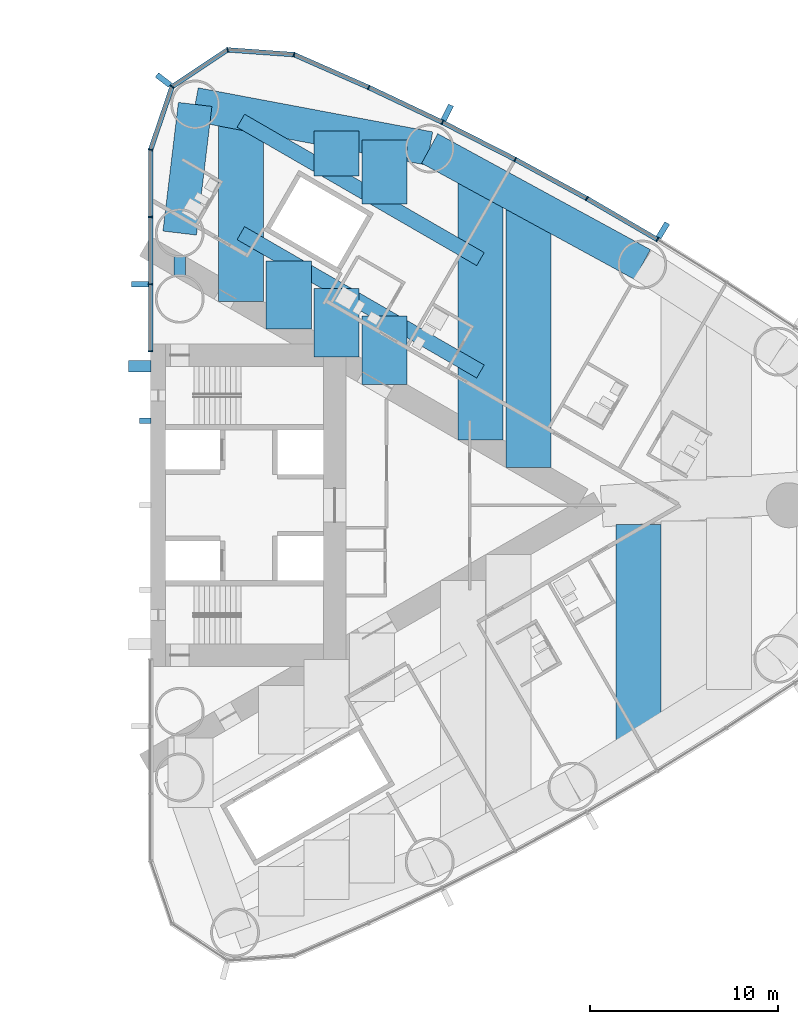
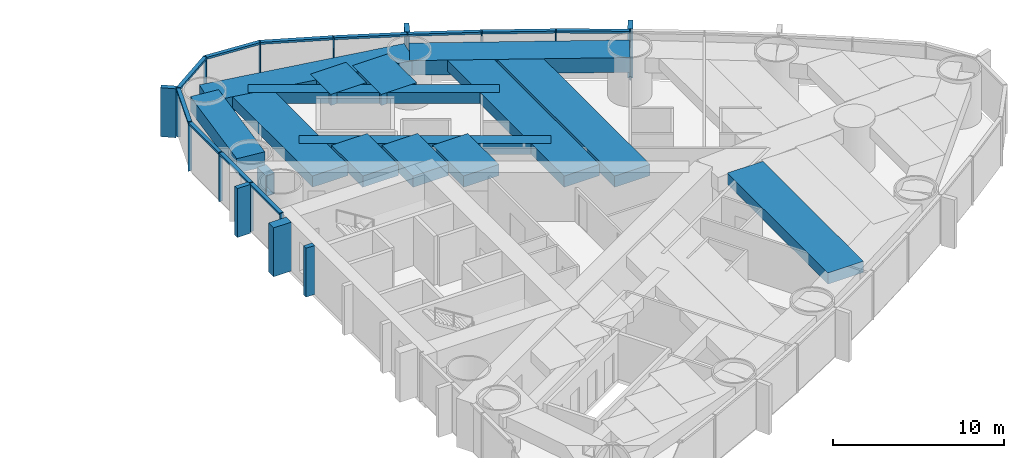
# One storey, part 7 of 18: 29 members, 15 beams, 1 element without a shape of its own.
"""IFC4 building model written with IfcOpenShell, lengths in metres."""

from ifc_helpers import new_model, si_unit, direction, frame, origin, origin_2d, place, context, subcontext, project, spatial, rectangle, hollow_rectangle, extrude, material, material_profile, profile_set, type_object, element, aggregate, save


model = new_model("IFC4")

# Units and contexts
model_context = context("Model", 3, precision=1e-05, world=origin(), true_north=direction((0.0, 1.0)))
body_context = subcontext(model_context, "Body", "Model", "MODEL_VIEW")
ifc_project = project(units=[si_unit("LENGTHUNIT", "METRE"), si_unit("AREAUNIT", "SQUARE_METRE"), si_unit("VOLUMEUNIT", "CUBIC_METRE"), si_unit("PLANEANGLEUNIT", "RADIAN"), si_unit("MASSUNIT", "GRAM", prefix="KILO")], contexts=[model_context])

# Site, building, storey
site_placement = place(None, origin())
site = spatial("IfcSite", under=ifc_project, at=site_placement, CompositionType="ELEMENT")
building_placement = place(site_placement, origin())
building = spatial("IfcBuilding", under=site, at=building_placement, Name="Lancet Gate Hotel", CompositionType="ELEMENT")
storey_placement = place(building_placement, frame((0.0, 0.0, 125.60009765625)))
storey = spatial("IfcBuildingStorey", under=building, at=storey_placement, Name="L33", CompositionType="ELEMENT", Elevation=125.60009765625)

# Curtain wall, members
ifc_material_1 = material(Name="Aluminium curtain wall", Category="aluminium")
curtain_wall_type = type_object("IfcCurtainWallType", Name="Tower unitised curtain wall", PredefinedType="USERDEFINED", material=ifc_material_1)
curtain_wall_placement = place(storey_placement, origin())
curtain_wall = element("IfcCurtainWall", 1, at=curtain_wall_placement, inside=storey, type_object=curtain_wall_type, Name="T2 L33 curtain wall 1", ObjectType="UNITISED CURTAIN WALL", PredefinedType="USERDEFINED")
ifc_material_2 = material(Name="Aluminium mullion", Category="aluminium")
ifc_material_profile_1 = material_profile(ifc_material_2, rectangle(XDim=0.06494140625, YDim=0.25, at=origin_2d()), Name="MULLION 65x250")
ifc_profile_set_1 = profile_set([ifc_material_profile_1], Name="Aluminium mullion")
member_type_1 = type_object("IfcMemberType", Name="Aluminium mullion 65x250", PredefinedType="MULLION", material=ifc_profile_set_1)
member_1_placement = place(storey_placement, frame((54.496337890625, 14.1552734375, 0.0), z_axis=(0.0, 0.0, 1.0), x_axis=(-0.856728030701, 0.515768437781, 0.0)))
member_1 = element("IfcMember", 2, at=member_1_placement, type_object=member_type_1, Name="T2 L33 curtain wall 1 mullion 23", PredefinedType="MULLION", context=body_context, shape_type="SweptSolid", body=[
    extrude(rectangle(XDim=0.06494140625, YDim=0.25, at=origin_2d()), origin(), (0.0, 0.0, 1.0), 3.5),
])
member_2_placement = place(storey_placement, frame((50.740478515625, 16.344482421875, 0.0), z_axis=(0.0, 0.0, 1.0), x_axis=(-0.871028838445, 0.491231882716, 0.0)))
member_2 = element("IfcMember", 3, at=member_2_placement, type_object=member_type_1, Name="T2 L33 curtain wall 1 mullion 24", PredefinedType="MULLION", context=body_context, shape_type="SweptSolid", body=[
    extrude(rectangle(XDim=0.06494140625, YDim=0.25, at=origin_2d()), origin(), (0.0, 0.0, 1.0), 3.5),
])
member_3_placement = place(storey_placement, frame((46.923828125, 18.426025390625, 0.0), z_axis=(0.0, 0.0, 1.0), x_axis=(-0.884627112962, 0.466299121822, 0.0)))
member_3 = element("IfcMember", 4, at=member_3_placement, type_object=member_type_1, Name="T2 L33 curtain wall 1 mullion 25", PredefinedType="MULLION", context=body_context, shape_type="SweptSolid", body=[
    extrude(rectangle(XDim=0.06494140625, YDim=0.25, at=origin_2d()), origin(), (0.0, 0.0, 1.0), 3.5),
])
member_4_placement = place(storey_placement, frame((43.0498046875, 20.398193359375, 0.0), z_axis=(0.0, 0.0, 1.0), x_axis=(-0.897511886496, 0.440990264743, 0.0)))
member_4 = element("IfcMember", 5, at=member_4_placement, type_object=member_type_1, Name="T2 L33 curtain wall 1 mullion 26", PredefinedType="MULLION", context=body_context, shape_type="SweptSolid", body=[
    extrude(rectangle(XDim=0.06494140625, YDim=0.25, at=origin_2d()), origin(), (0.0, 0.0, 1.0), 3.5),
])
member_5_placement = place(storey_placement, frame((39.12109375, 22.259765625, 0.0), z_axis=(0.0, 0.0, 1.0), x_axis=(-0.909672766767, 0.415325724465, 0.0)))
member_5 = element("IfcMember", 6, at=member_5_placement, type_object=member_type_1, Name="T2 L33 curtain wall 1 mullion 27", PredefinedType="MULLION", context=body_context, shape_type="SweptSolid", body=[
    extrude(rectangle(XDim=0.06494140625, YDim=0.25, at=origin_2d()), origin(), (0.0, 0.0, 1.0), 3.5),
])
member_6_placement = place(storey_placement, frame((35.141357421875, 24.009033203125, 0.0), z_axis=(0.0, 0.0, 1.0), x_axis=(-0.966317378791, 0.257353304711, 0.0)))
member_6 = element("IfcMember", 7, at=member_6_placement, type_object=member_type_1, Name="T2 L33 curtain wall 1 mullion 28", PredefinedType="MULLION", context=body_context, shape_type="SweptSolid", body=[
    extrude(rectangle(XDim=0.06494140625, YDim=0.25, at=origin_2d()), origin(), (0.0, 0.0, 1.0), 3.5),
])
member_7_placement = place(storey_placement, frame((31.60205078125, 24.26220703125, 0.0), z_axis=(0.0, 0.0, 1.0), x_axis=(-0.967157174963, -0.254179068604, 0.0)))
member_7 = element("IfcMember", 8, at=member_7_placement, type_object=member_type_1, Name="T2 L33 curtain wall 1 mullion 29", PredefinedType="MULLION", context=body_context, shape_type="SweptSolid", body=[
    extrude(rectangle(XDim=0.06494140625, YDim=0.25, at=origin_2d()), origin(), (0.0, 0.0, 1.0), 3.5),
])
member_8_placement = place(storey_placement, frame((28.64453125, 22.301513671875, 0.0), z_axis=(0.0, 0.0, 1.0), x_axis=(-0.610663954798, -0.79188984986, 0.0)))
member_8 = element("IfcMember", 9, at=member_8_placement, type_object=member_type_1, Name="T2 L33 curtain wall 1 mullion 30", PredefinedType="MULLION", context=body_context, shape_type="SweptSolid", body=[
    extrude(rectangle(XDim=0.06494140625, YDim=0.25, at=origin_2d()), origin(), (0.0, 0.0, 1.0), 3.5),
])
member_9_placement = place(storey_placement, frame((27.5, 18.94287109375, 0.0), z_axis=(0.0, 0.0, 1.0), x_axis=(-0.162738742557, -0.986669195663, 0.0)))
member_9 = element("IfcMember", 10, at=member_9_placement, type_object=member_type_1, Name="T2 L33 curtain wall 1 mullion 31", PredefinedType="MULLION", context=body_context, shape_type="SweptSolid", body=[
    extrude(rectangle(XDim=0.06494140625, YDim=0.25, at=origin_2d()), origin(), (0.0, 0.0, 1.0), 3.5),
])
member_10_placement = place(storey_placement, frame((27.5, 15.362060546875, 0.0), z_axis=(0.0, 0.0, 1.0), x_axis=(0.0, -1.0, 0.0)))
member_10 = element("IfcMember", 11, at=member_10_placement, type_object=member_type_1, Name="T2 L33 curtain wall 1 mullion 32", PredefinedType="MULLION", context=body_context, shape_type="SweptSolid", body=[
    extrude(rectangle(XDim=0.06494140625, YDim=0.25, at=origin_2d()), origin(), (0.0, 0.0, 1.0), 3.5),
])
member_11_placement = place(storey_placement, frame((27.5, 11.781005859375, 0.0), z_axis=(0.0, 0.0, 1.0), x_axis=(0.0, -1.0, 0.0)))
member_11 = element("IfcMember", 12, at=member_11_placement, type_object=member_type_1, Name="T2 L33 curtain wall 1 mullion 33", PredefinedType="MULLION", context=body_context, shape_type="SweptSolid", body=[
    extrude(rectangle(XDim=0.06494140625, YDim=0.25, at=origin_2d()), origin(), (0.0, 0.0, 1.0), 3.5),
])
member_12_placement = place(storey_placement, frame((27.5, 8.199951171875, 0.0), z_axis=(0.0, 0.0, 1.0), x_axis=(0.0, -1.0, 0.0)))
member_12 = element("IfcMember", 13, at=member_12_placement, type_object=member_type_1, Name="T2 L33 curtain wall 1 mullion 34", PredefinedType="MULLION", context=body_context, shape_type="SweptSolid", body=[
    extrude(rectangle(XDim=0.06494140625, YDim=0.25, at=origin_2d()), origin(), (0.0, 0.0, 1.0), 3.5),
])
ifc_material_3 = material(Name="Aluminium transom", Category="aluminium")
ifc_material_profile_2 = material_profile(ifc_material_3, rectangle(XDim=0.25, YDim=0.14990234375, at=origin_2d()), Name="TRANSOM 250x150")
ifc_profile_set_2 = profile_set([ifc_material_profile_2], Name="Aluminium transom")
member_type_2 = type_object("IfcMemberType", Name="Aluminium transom 250x150", PredefinedType="USERDEFINED", material=ifc_profile_set_2)
member_13_placement = place(storey_placement, frame((54.46826171875, 14.171630859375, 3.4248046875), z_axis=(-0.863973212152, 0.503537772847, 0.0), x_axis=(-0.503537772847, -0.863973212152, 0.0)))
member_13 = element("IfcMember", 14, at=member_13_placement, type_object=member_type_2, Name="T2 L33 curtain wall 1 transom 23", ObjectType="TRANSOM", PredefinedType="USERDEFINED", context=body_context, shape_type="SweptSolid", body=[
    extrude(rectangle(XDim=0.25, YDim=0.14990234375, at=origin_2d()), origin(), (0.0, 0.0, 1.0), 4.2822265625),
])
member_14_placement = place(storey_placement, frame((50.7119140625, 16.35986328125, 3.4248046875), z_axis=(-0.877906466435, 0.478832158685, 0.0), x_axis=(-0.478832158685, -0.877906466435, 0.0)))
member_14 = element("IfcMember", 15, at=member_14_placement, type_object=member_type_2, Name="T2 L33 curtain wall 1 transom 24", ObjectType="TRANSOM", PredefinedType="USERDEFINED", context=body_context, shape_type="SweptSolid", body=[
    extrude(rectangle(XDim=0.25, YDim=0.14990234375, at=origin_2d()), origin(), (0.0, 0.0, 1.0), 4.282470703125),
])
member_15_placement = place(storey_placement, frame((46.89501953125, 18.440673828125, 3.4248046875), z_axis=(-0.891165630033, 0.453678101574, 0.0), x_axis=(-0.453678101574, -0.891165630033, 0.0)))
member_15 = element("IfcMember", 16, at=member_15_placement, type_object=member_type_2, Name="T2 L33 curtain wall 1 transom 25", ObjectType="TRANSOM", PredefinedType="USERDEFINED", context=body_context, shape_type="SweptSolid", body=[
    extrude(rectangle(XDim=0.25, YDim=0.14990234375, at=origin_2d()), origin(), (0.0, 0.0, 1.0), 4.282470703125),
])
member_16_placement = place(storey_placement, frame((43.0205078125, 20.412109375, 3.4248046875), z_axis=(-0.903679787814, 0.428208875546, 0.0), x_axis=(-0.428208875546, -0.903679787814, 0.0)))
member_16 = element("IfcMember", 17, at=member_16_placement, type_object=member_type_2, Name="T2 L33 curtain wall 1 transom 26", ObjectType="TRANSOM", PredefinedType="USERDEFINED", context=body_context, shape_type="SweptSolid", body=[
    extrude(rectangle(XDim=0.25, YDim=0.14990234375, at=origin_2d()), origin(), (0.0, 0.0, 1.0), 4.282470703125),
])
member_17_placement = place(storey_placement, frame((39.09130859375, 22.27294921875, 3.4248046875), z_axis=(-0.915484772266, 0.402352621155, 0.0), x_axis=(-0.402352621155, -0.915484772266, 0.0)))
member_17 = element("IfcMember", 18, at=member_17_placement, type_object=member_type_2, Name="T2 L33 curtain wall 1 transom 27", ObjectType="TRANSOM", PredefinedType="USERDEFINED", context=body_context, shape_type="SweptSolid", body=[
    extrude(rectangle(XDim=0.25, YDim=0.14990234375, at=origin_2d()), origin(), (0.0, 0.0, 1.0), 4.281982421875),
])
member_18_placement = place(storey_placement, frame((35.10888671875, 24.01123046875, 3.4248046875), z_axis=(-0.997446232115, 0.071421383636, 0.0), x_axis=(-0.071421383636, -0.997446232115, 0.0)))
member_18 = element("IfcMember", 19, at=member_18_placement, type_object=member_type_2, Name="T2 L33 curtain wall 1 transom 28", ObjectType="TRANSOM", PredefinedType="USERDEFINED", context=body_context, shape_type="SweptSolid", body=[
    extrude(rectangle(XDim=0.25, YDim=0.14990234375, at=origin_2d()), origin(), (0.0, 0.0, 1.0), 3.483154296875),
])
member_19_placement = place(storey_placement, frame((31.574951171875, 24.244384765625, 3.4248046875), z_axis=(-0.833470854141, -0.552563421968, 0.0), x_axis=(0.552563421968, -0.833470854141, 0.0)))
member_19 = element("IfcMember", 20, at=member_19_placement, type_object=member_type_2, Name="T2 L33 curtain wall 1 transom 29", ObjectType="TRANSOM", PredefinedType="USERDEFINED", context=body_context, shape_type="SweptSolid", body=[
    extrude(rectangle(XDim=0.25, YDim=0.14990234375, at=origin_2d()), origin(), (0.0, 0.0, 1.0), 3.4833984375),
])
member_20_placement = place(storey_placement, frame((28.634033203125, 22.270751953125, 3.4248046875), z_axis=(-0.322549769135, -0.946552505903, 0.0), x_axis=(0.946552505903, -0.322549769135, 0.0)))
member_20 = element("IfcMember", 21, at=member_20_placement, type_object=member_type_2, Name="T2 L33 curtain wall 1 transom 30", ObjectType="TRANSOM", PredefinedType="USERDEFINED", context=body_context, shape_type="SweptSolid", body=[
    extrude(rectangle(XDim=0.25, YDim=0.14990234375, at=origin_2d()), origin(), (0.0, 0.0, 1.0), 3.4833984375),
])
member_21_placement = place(storey_placement, frame((27.5, 18.910400390625, 3.4248046875), z_axis=(0.0, -1.0, 0.0), x_axis=(1.0, 0.0, 0.0)))
member_21 = element("IfcMember", 22, at=member_21_placement, type_object=member_type_2, Name="T2 L33 curtain wall 1 transom 31", ObjectType="TRANSOM", PredefinedType="USERDEFINED", context=body_context, shape_type="SweptSolid", body=[
    extrude(rectangle(XDim=0.25, YDim=0.14990234375, at=origin_2d()), origin(), (0.0, 0.0, 1.0), 3.515869140625),
])
member_22_placement = place(storey_placement, frame((27.5, 15.329345703125, 3.4248046875), z_axis=(0.0, -1.0, 0.0), x_axis=(1.0, 0.0, 0.0)))
member_22 = element("IfcMember", 23, at=member_22_placement, type_object=member_type_2, Name="T2 L33 curtain wall 1 transom 32", ObjectType="TRANSOM", PredefinedType="USERDEFINED", context=body_context, shape_type="SweptSolid", body=[
    extrude(rectangle(XDim=0.25, YDim=0.14990234375, at=origin_2d()), origin(), (0.0, 0.0, 1.0), 3.515869140625),
])
member_23_placement = place(storey_placement, frame((27.5, 11.74853515625, 3.4248046875), z_axis=(0.0, -1.0, 0.0), x_axis=(1.0, 0.0, 0.0)))
member_23 = element("IfcMember", 24, at=member_23_placement, type_object=member_type_2, Name="T2 L33 curtain wall 1 transom 33", ObjectType="TRANSOM", PredefinedType="USERDEFINED", context=body_context, shape_type="SweptSolid", body=[
    extrude(rectangle(XDim=0.25, YDim=0.14990234375, at=origin_2d()), origin(), (0.0, 0.0, 1.0), 3.51611328125),
])

# Beams
ifc_material_4 = material(Name="Concrete C50/60", Category="concrete")
ifc_material_profile_3 = material_profile(ifc_material_4, rectangle(XDim=1.800048828125, YDim=1.050048828125, at=origin_2d()), Name="RC 1800x1050")
ifc_profile_set_3 = profile_set([ifc_material_profile_3], Name="Concrete C50/60")
beam_type_1 = type_object("IfcBeamType", Name="Edge beam RC 1800x1050", PredefinedType="SPANDREL", material=ifc_profile_set_3)
beam_1_placement = place(storey_placement, frame((53.697021484375, 12.827392578125, 2.724853515625), z_axis=(-0.87792015078, 0.478807068509, 0.0), x_axis=(-0.478807068509, -0.87792015078, 0.0)))
element("IfcBeam", 25, at=beam_1_placement, inside=storey, type_object=beam_type_1, Name="T2 edge beam EB1 L33", PredefinedType="SPANDREL", context=body_context, shape_type="SweptSolid", body=[
    extrude(rectangle(XDim=1.800048828125, YDim=1.050048828125, at=origin_2d()), origin(), (0.0, 0.0, 1.0), 12.906494140625),
])
beam_2_placement = place(storey_placement, frame((42.3662109375, 19.007080078125, 2.724853515625), z_axis=(-0.982797318081, 0.184687388776, 0.0), x_axis=(-0.184687388776, -0.982797318081, 0.0)))
element("IfcBeam", 26, at=beam_2_placement, inside=storey, type_object=beam_type_1, Name="T2 edge beam EB1 L33", PredefinedType="SPANDREL", context=body_context, shape_type="SweptSolid", body=[
    extrude(rectangle(XDim=1.800048828125, YDim=1.050048828125, at=origin_2d()), origin(), (0.0, 0.0, 1.0), 12.712890625),
])
beam_3_placement = place(storey_placement, frame((29.050048828125, 14.5, 2.724853515625), z_axis=(0.119062951196, 0.99288670736, 0.0), x_axis=(-0.99288670736, 0.119062951196, 0.0)))
element("IfcBeam", 27, at=beam_3_placement, inside=storey, type_object=beam_type_1, Name="T2 edge beam EB1 L33", PredefinedType="SPANDREL", context=body_context, shape_type="SweptSolid", body=[
    extrude(rectangle(XDim=1.800048828125, YDim=1.050048828125, at=origin_2d()), origin(), (0.0, 0.0, 1.0), 6.904052734375),
])

# Member
ifc_material_5 = material(Name="Concrete C60/75", Category="concrete")
ifc_material_profile_4 = material_profile(ifc_material_5, rectangle(XDim=0.60009765625, YDim=1.199951171875, at=origin_2d()), Name="FIN 600x1200")
ifc_profile_set_4 = profile_set([ifc_material_profile_4], Name="Concrete C60/75")
member_type_3 = type_object("IfcMemberType", Name="Exposed concrete buttress pilaster 600x1200", PredefinedType="USERDEFINED", material=ifc_profile_set_4)
member_24_placement = place(storey_placement, frame((26.909912109375, 7.39990234375, 0.0), z_axis=(0.0, 0.0, 1.0), x_axis=(0.0, 1.0, 0.0)))
element("IfcMember", 28, at=member_24_placement, inside=storey, type_object=member_type_3, Name="T2 buttress pilaster N L33", ObjectType="FIN", PredefinedType="USERDEFINED", context=body_context, shape_type="SweptSolid", body=[
    extrude(rectangle(XDim=0.60009765625, YDim=1.199951171875, at=origin_2d()), origin(), (0.0, 0.0, 1.0), 3.5),
])

ifc_material_6 = material(Name="Precast concrete C50/60", Category="concrete")
ifc_material_profile_5 = material_profile(ifc_material_6, rectangle(XDim=0.300048828125, YDim=0.89990234375, at=origin_2d()), Name="FIN 300x900")
ifc_profile_set_5 = profile_set([ifc_material_profile_5], Name="Precast concrete C50/60")
member_type_4 = type_object("IfcMemberType", Name="Exposed concrete fin 300x900", PredefinedType="USERDEFINED", material=ifc_profile_set_5)
member_25_placement = place(storey_placement, frame((54.79296875, 14.64794921875, 0.0), z_axis=(0.0, 0.0, 1.0), x_axis=(-0.856728030701, 0.515768437781, 0.0)))
member_25 = element("IfcMember", 29, at=member_25_placement, type_object=member_type_4, Name="T2 L33 curtain wall 1 fin 23", ObjectType="FIN", PredefinedType="USERDEFINED", context=body_context, shape_type="SweptSolid", body=[
    extrude(rectangle(XDim=0.300048828125, YDim=0.89990234375, at=origin_2d()), origin(), (0.0, 0.0, 1.0), 3.5),
])

member_26_placement = place(storey_placement, frame((43.30322265625, 20.914306640625, 0.0), z_axis=(0.0, 0.0, 1.0), x_axis=(-0.897511886496, 0.440990264743, 0.0)))
member_26 = element("IfcMember", 30, at=member_26_placement, type_object=member_type_4, Name="T2 L33 curtain wall 1 fin 26", ObjectType="FIN", PredefinedType="USERDEFINED", context=body_context, shape_type="SweptSolid", body=[
    extrude(rectangle(XDim=0.300048828125, YDim=0.89990234375, at=origin_2d()), origin(), (0.0, 0.0, 1.0), 3.5),
])

member_27_placement = place(storey_placement, frame((28.189208984375, 22.65283203125, 0.0), z_axis=(0.0, 0.0, 1.0), x_axis=(-0.610663954798, -0.79188984986, 0.0)))
member_27 = element("IfcMember", 31, at=member_27_placement, type_object=member_type_4, Name="T2 L33 curtain wall 1 fin 30", ObjectType="FIN", PredefinedType="USERDEFINED", context=body_context, shape_type="SweptSolid", body=[
    extrude(rectangle(XDim=0.300048828125, YDim=0.89990234375, at=origin_2d()), origin(), (0.0, 0.0, 1.0), 3.5),
])

member_28_placement = place(storey_placement, frame((26.925048828125, 11.781005859375, 0.0), z_axis=(0.0, 0.0, 1.0), x_axis=(0.0, -1.0, 0.0)))
member_28 = element("IfcMember", 32, at=member_28_placement, type_object=member_type_4, Name="T2 L33 curtain wall 1 fin 33", ObjectType="FIN", PredefinedType="USERDEFINED", context=body_context, shape_type="SweptSolid", body=[
    extrude(rectangle(XDim=0.300048828125, YDim=0.89990234375, at=origin_2d()), origin(), (0.0, 0.0, 1.0), 3.5),
])

aggregate(curtain_wall, [member_1, member_25, member_2, member_3, member_4, member_26, member_5, member_6, member_7, member_8, member_27, member_9, member_10, member_11, member_28, member_12, member_13, member_14, member_15, member_16, member_17, member_18, member_19, member_20, member_21, member_22, member_23])

ifc_material_7 = material(Name="Concrete C60/75", Category="concrete")
ifc_material_profile_6 = material_profile(ifc_material_7, rectangle(XDim=0.300048828125, YDim=0.60009765625, at=origin_2d()), Name="FIN 300x600")
ifc_profile_set_6 = profile_set([ifc_material_profile_6], Name="Concrete C60/75")
member_type_5 = type_object("IfcMemberType", Name="Exposed concrete rib 300x600", PredefinedType="USERDEFINED", material=ifc_profile_set_6)
member_29_placement = place(storey_placement, frame((27.2099609375, 4.5, 0.0), z_axis=(0.0, 0.0, 1.0), x_axis=(0.0, 1.0, 0.0)))
element("IfcMember", 33, at=member_29_placement, inside=storey, type_object=member_type_5, Name="T2 core rib 3 L33", ObjectType="FIN", PredefinedType="USERDEFINED", context=body_context, shape_type="SweptSolid", body=[
    extrude(rectangle(XDim=0.300048828125, YDim=0.60009765625, at=origin_2d()), origin(), (0.0, 0.0, 1.0), 3.5),
])

# Beams
ifc_material_8 = material(Name="Concrete C50/60", Category="concrete")
ifc_material_profile_7 = material_profile(ifc_material_8, rectangle(XDim=2.39990234375, YDim=0.800048828125, at=origin_2d()), Name="RC 2400x800")
ifc_profile_set_7 = profile_set([ifc_material_profile_7], Name="Concrete C50/60")
beam_type_2 = type_object("IfcBeamType", Name="Floor beam RC 2400x800", PredefinedType="BEAM", material=ifc_profile_set_7)
beam_4_placement = place(storey_placement, frame((32.306396484375, 10.851806640625, 2.849853515625), z_axis=(0.0, 1.0, 0.0), x_axis=(-1.0, 0.0, 0.0)))
element("IfcBeam", 34, at=beam_4_placement, inside=storey, type_object=beam_type_2, Name="T2 floor beam F02N L33", PredefinedType="BEAM", context=body_context, shape_type="SweptSolid", body=[
    extrude(rectangle(XDim=2.39990234375, YDim=0.800048828125, at=origin_2d()), origin(), (0.0, 0.0, 1.0), 10.0458984375),
])
beam_5_placement = place(storey_placement, frame((45.072265625, 3.4814453125, 2.849853515625), z_axis=(0.0, 1.0, 0.0), x_axis=(-1.0, 0.0, 0.0)))
element("IfcBeam", 35, at=beam_5_placement, inside=storey, type_object=beam_type_2, Name="T2 floor beam F10N L33", PredefinedType="BEAM", context=body_context, shape_type="SweptSolid", body=[
    extrude(rectangle(XDim=2.39990234375, YDim=0.800048828125, at=origin_2d()), origin(), (0.0, 0.0, 1.0), 14.0498046875),
])
beam_6_placement = place(storey_placement, frame((47.62548828125, 2.00732421875, 2.849853515625), z_axis=(0.0, 1.0, 0.0), x_axis=(-1.0, 0.0, 0.0)))
element("IfcBeam", 36, at=beam_6_placement, inside=storey, type_object=beam_type_2, Name="T2 floor beam F12N L33", PredefinedType="BEAM", context=body_context, shape_type="SweptSolid", body=[
    extrude(rectangle(XDim=2.39990234375, YDim=0.800048828125, at=origin_2d()), origin(), (0.0, 0.0, 1.0), 14.13134765625),
])
beam_7_placement = place(storey_placement, frame((53.502197265625, -12.804443359375, 2.849853515625), z_axis=(0.0, 1.0, 0.0), x_axis=(-1.0, 0.0, 0.0)))
element("IfcBeam", 37, at=beam_7_placement, inside=storey, type_object=beam_type_2, Name="T2 floor beam F13S L33", PredefinedType="BEAM", context=body_context, shape_type="SweptSolid", body=[
    extrude(rectangle(XDim=2.39990234375, YDim=0.800048828125, at=origin_2d()), origin(), (0.0, 0.0, 1.0), 11.78564453125),
])
beam_8_placement = place(storey_placement, frame((34.859619140625, 9.377685546875, 2.849853515625), z_axis=(0.0, 1.0, 0.0), x_axis=(-1.0, 0.0, 0.0)))
element("IfcBeam", 38, at=beam_8_placement, inside=storey, type_object=beam_type_2, Name="T2 floor beam F04NA L33", PredefinedType="BEAM", context=body_context, shape_type="SweptSolid", body=[
    extrude(rectangle(XDim=2.39990234375, YDim=0.800048828125, at=origin_2d()), origin(), (0.0, 0.0, 1.0), 3.645751953125),
])
beam_9_placement = place(storey_placement, frame((37.412841796875, 7.903564453125, 2.849853515625), z_axis=(0.0, 1.0, 0.0), x_axis=(-1.0, 0.0, 0.0)))
element("IfcBeam", 39, at=beam_9_placement, inside=storey, type_object=beam_type_2, Name="T2 floor beam F06NA L33", PredefinedType="BEAM", context=body_context, shape_type="SweptSolid", body=[
    extrude(rectangle(XDim=2.39990234375, YDim=0.800048828125, at=origin_2d()), origin(), (0.0, 0.0, 1.0), 3.6455078125),
])
beam_10_placement = place(storey_placement, frame((37.412841796875, 17.537109375, 2.849853515625), z_axis=(0.0, 1.0, 0.0), x_axis=(-1.0, 0.0, 0.0)))
element("IfcBeam", 40, at=beam_10_placement, inside=storey, type_object=beam_type_2, Name="T2 floor beam F06NB L33", PredefinedType="BEAM", context=body_context, shape_type="SweptSolid", body=[
    extrude(rectangle(XDim=2.39990234375, YDim=0.800048828125, at=origin_2d()), origin(), (0.0, 0.0, 1.0), 2.40087890625),
])
beam_11_placement = place(storey_placement, frame((39.9658203125, 6.429443359375, 2.849853515625), z_axis=(0.0, 1.0, 0.0), x_axis=(-1.0, 0.0, 0.0)))
element("IfcBeam", 41, at=beam_11_placement, inside=storey, type_object=beam_type_2, Name="T2 floor beam F08NA L33", PredefinedType="BEAM", context=body_context, shape_type="SweptSolid", body=[
    extrude(rectangle(XDim=2.39990234375, YDim=0.800048828125, at=origin_2d()), origin(), (0.0, 0.0, 1.0), 3.64501953125),
])
beam_12_placement = place(storey_placement, frame((39.9658203125, 16.062744140625, 2.849853515625), z_axis=(0.0, 1.0, 0.0), x_axis=(-1.0, 0.0, 0.0)))
element("IfcBeam", 42, at=beam_12_placement, inside=storey, type_object=beam_type_2, Name="T2 floor beam F08NB L33", PredefinedType="BEAM", context=body_context, shape_type="SweptSolid", body=[
    extrude(rectangle(XDim=2.39990234375, YDim=0.800048828125, at=origin_2d()), origin(), (0.0, 0.0, 1.0), 3.3955078125),
])
ifc_material_9 = material(Name="Steel S460QL", Category="steel")
ifc_material_profile_8 = material_profile(ifc_material_9, hollow_rectangle(XDim=0.60009765625, YDim=1.5, WallThickness=0.050048828125, at=origin_2d()), Name="BOX 1500x600x50")
ifc_profile_set_8 = profile_set([ifc_material_profile_8], Name="Steel S460QL")
beam_type_3 = type_object("IfcBeamType", Name="Inner-face link beam BOX 1500x600x50", PredefinedType="BEAM", material=ifc_profile_set_8)
beam_13_placement = place(storey_placement, frame((29.050048828125, 12.25, 2.5), z_axis=(0.0, 1.0, 0.0), x_axis=(-1.0, 0.0, 0.0)))
element("IfcBeam", 43, at=beam_13_placement, inside=storey, type_object=beam_type_3, Name="T2 inner-face link beam LK1 L33", PredefinedType="BEAM", context=body_context, shape_type="SweptSolid", body=[
    extrude(hollow_rectangle(XDim=0.60009765625, YDim=1.5, WallThickness=0.050048828125, at=origin_2d()), origin(), (0.0, 0.0, 1.0), 1.0),
])
ifc_material_10 = material(Name="Steel S460QL", Category="steel")
ifc_material_profile_9 = material_profile(ifc_material_10, hollow_rectangle(XDim=0.800048828125, YDim=0.800048828125, WallThickness=0.080078125, at=origin_2d()), Name="BOX 800x800x80")
ifc_profile_set_9 = profile_set([ifc_material_profile_9], Name="Steel S460QL")
beam_type_4 = type_object("IfcBeamType", Name="Trimmer beam BOX 800x800x80", PredefinedType="BEAM", material=ifc_profile_set_9)
beam_14_placement = place(storey_placement, frame((32.306396484375, 20.48583984375, 2.849853515625), z_axis=(0.86598286195, -0.500073677381, 0.0), x_axis=(0.500073677381, 0.86598286195, 0.0)))
element("IfcBeam", 44, at=beam_14_placement, inside=storey, type_object=beam_type_4, Name="T2 trimmer beam TR03N L33", PredefinedType="BEAM", context=body_context, shape_type="SweptSolid", body=[
    extrude(hollow_rectangle(XDim=0.800048828125, YDim=0.800048828125, WallThickness=0.080078125, at=origin_2d()), origin(), (0.0, 0.0, 1.0), 14.741455078125),
])
beam_15_placement = place(storey_placement, frame((32.306396484375, 14.497802734375, 2.849853515625), z_axis=(0.865975689888, -0.500086097111, 0.0), x_axis=(0.500086097111, 0.865975689888, 0.0)))
element("IfcBeam", 45, at=beam_15_placement, inside=storey, type_object=beam_type_4, Name="T2 trimmer beam TR04N L33", PredefinedType="BEAM", context=body_context, shape_type="SweptSolid", body=[
    extrude(hollow_rectangle(XDim=0.800048828125, YDim=0.800048828125, WallThickness=0.080078125, at=origin_2d()), origin(), (0.0, 0.0, 1.0), 14.74169921875),
])

save(model, "model.ifc")
